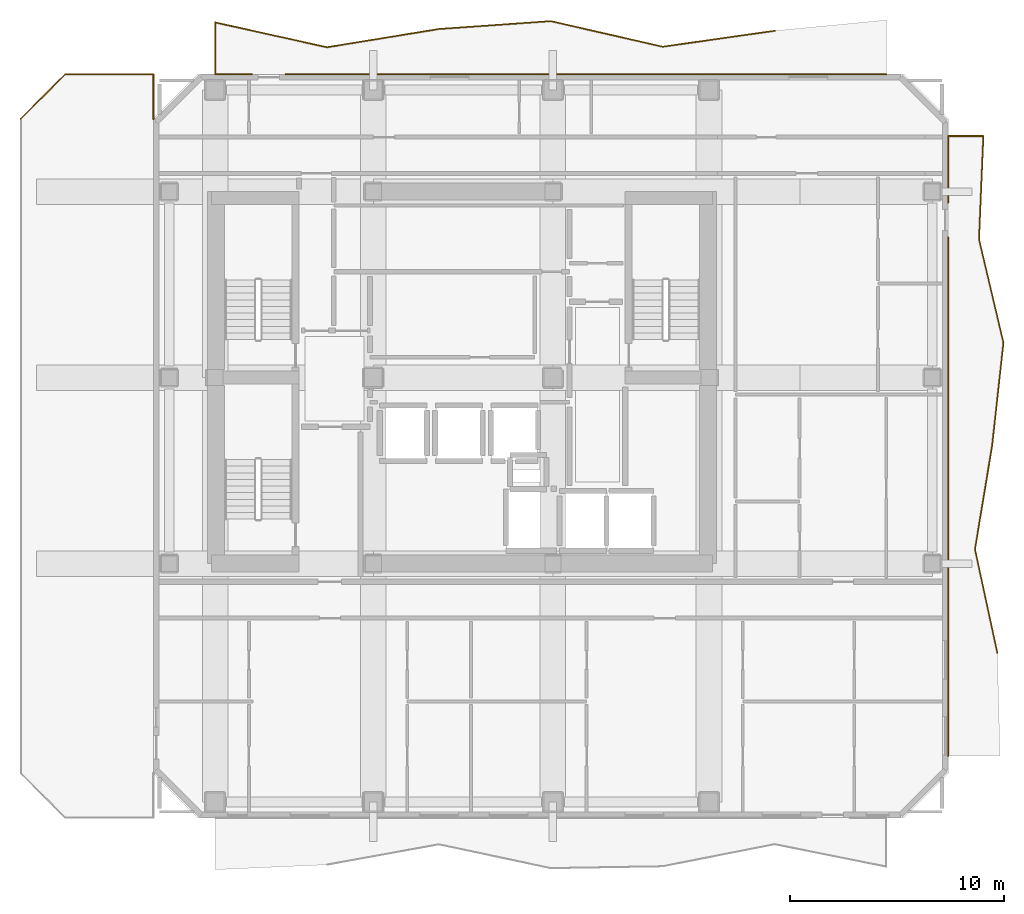
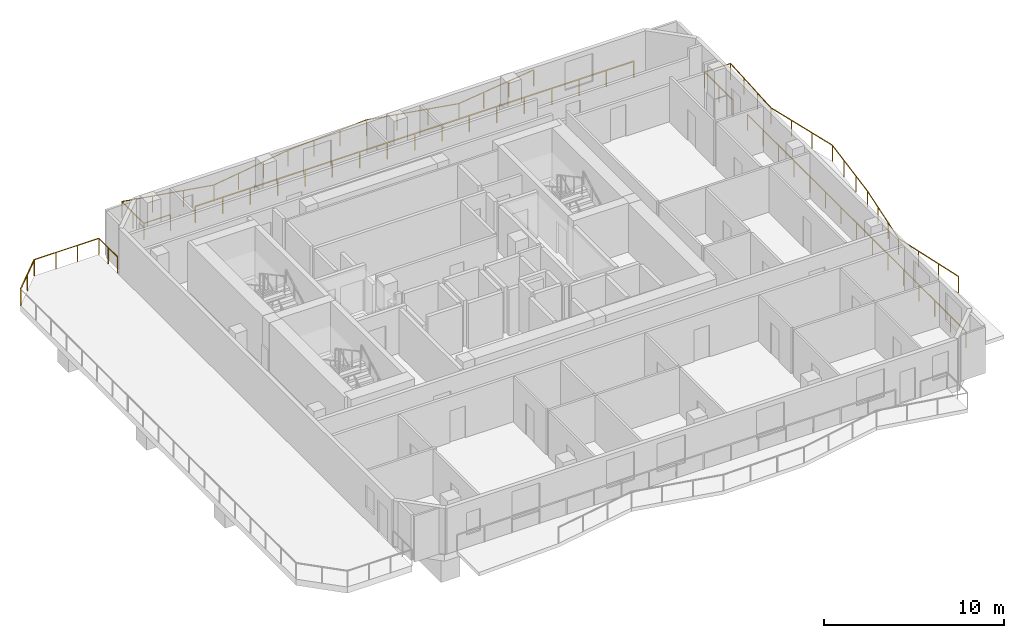
# One storey, part 10 of 10: 7 railings.
"""IFC4 building model written with IfcOpenShell, lengths in metres."""

from ifc_helpers import new_model, si_unit, direction, frame, origin, origin_2d, place, context, subcontext, project, spatial, rectangle, extrude, material, type_object, element, save


model = new_model("IFC4")

# Units and contexts
model_context = context("Model", 3, precision=1e-05, world=origin(), true_north=direction((0.0, 1.0)))
body_context = subcontext(model_context, "Body", "Model", "MODEL_VIEW")
ifc_project = project(units=[si_unit("LENGTHUNIT", "METRE"), si_unit("AREAUNIT", "SQUARE_METRE"), si_unit("VOLUMEUNIT", "CUBIC_METRE"), si_unit("PLANEANGLEUNIT", "RADIAN"), si_unit("MASSUNIT", "GRAM", prefix="KILO")], contexts=[model_context])

# Site, building, storey
site_placement = place(None, origin())
site = spatial("IfcSite", under=ifc_project, at=site_placement, CompositionType="ELEMENT")
building_placement = place(site_placement, origin())
building = spatial("IfcBuilding", under=site, at=building_placement, Name="Solanera Arch Residences", CompositionType="ELEMENT")
storey_placement = place(building_placement, frame((0.0, 0.0, 210.080078125)))
storey = spatial("IfcBuildingStorey", under=building, at=storey_placement, Name="L61", CompositionType="ELEMENT", Elevation=210.080078125)

# Railings
ifc_material = material(Name="Steel S355 (ASTM A992 / A572 Grade 50)", Category="steel")
railing_type = type_object("IfcRailingType", Name="Balustrade Railing BL-1100", PredefinedType="BALUSTRADE", material=ifc_material)
railing_1_placement = place(storey_placement, frame((39.56689453125, 46.923095703125, 0.0)))
element("IfcRailing", 1, at=railing_1_placement, inside=storey, type_object=railing_type, Name="L61 N Balcony Balustrade 1", PredefinedType="BALUSTRADE", context=body_context, shape_type="SweptSolid", body=[
    extrude(rectangle(XDim=0.048095703125, YDim=0.048095703125, at=origin_2d()), frame((0.0, 0.0, 1.09619140625), z_axis=(-0.989991933951, -0.141123955134, 0.0), x_axis=(0.141123955134, -0.989991933951, 0.0)), (0.0, 0.0, 1.0), 5.286865234375),
    extrude(rectangle(XDim=0.048095703125, YDim=0.048095703125, at=origin_2d()), frame((-5.23388671875, -0.74609375, 1.09619140625), z_axis=(-0.974820951347, 0.222989041917, 0.0), x_axis=(-0.222989041917, -0.974820951347, 0.0)), (0.0, 0.0, 1.0), 5.3681640625),
    extrude(rectangle(XDim=0.048095703125, YDim=0.048095703125, at=origin_2d()), frame((-10.466796875, 0.450927734375, 1.09619140625), z_axis=(-0.997537687487, -0.070132460697, 0.0), x_axis=(0.070132460697, -0.997537687487, 0.0)), (0.0, 0.0, 1.0), 5.24609375),
    extrude(rectangle(XDim=0.048095703125, YDim=0.048095703125, at=origin_2d()), frame((-15.699951171875, 0.0830078125, 1.09619140625), z_axis=(-0.986948116303, -0.161038553542, 0.0), x_axis=(0.161038553542, -0.986948116303, 0.0)), (0.0, 0.0, 1.0), 5.30322265625),
    extrude(rectangle(XDim=0.048095703125, YDim=0.048095703125, at=origin_2d()), frame((-20.933837890625, -0.77099609375, 1.09619140625), z_axis=(-0.976190274798, 0.216915991549, 0.0), x_axis=(-0.216915991549, -0.976190274798, 0.0)), (0.0, 0.0, 1.0), 5.36083984375),
    extrude(rectangle(XDim=0.048095703125, YDim=0.048095703125, at=origin_2d()), frame((-26.1669921875, 0.391845703125, 1.09619140625), z_axis=(0.0, -1.0, 0.0), x_axis=(1.0, 0.0, 0.0)), (0.0, 0.0, 1.0), 2.43505859375),
    extrude(rectangle(XDim=0.048095703125, YDim=0.048095703125, at=origin_2d()), frame((-26.1669921875, -2.043212890625, 1.09619140625), z_axis=(1.0, 0.0, 0.0), x_axis=(0.0, 1.0, 0.0)), (0.0, 0.0, 1.0), 1.710205078125),
    extrude(rectangle(XDim=0.0419921875, YDim=0.0419921875, at=origin_2d()), origin(), (0.0, 0.0, 1.0), 1.072021484375),
    extrude(rectangle(XDim=0.0419921875, YDim=0.0419921875, at=origin_2d()), frame((-1.74462890625, -0.248779296875, 0.0)), (0.0, 0.0, 1.0), 1.072021484375),
    extrude(rectangle(XDim=0.0419921875, YDim=0.0419921875, at=origin_2d()), frame((-3.4892578125, -0.497314453125, 0.0)), (0.0, 0.0, 1.0), 1.072021484375),
    extrude(rectangle(XDim=0.0419921875, YDim=0.0419921875, at=origin_2d()), frame((-5.23388671875, -0.74609375, 0.0)), (0.0, 0.0, 1.0), 1.072021484375),
    extrude(rectangle(XDim=0.0419921875, YDim=0.0419921875, at=origin_2d()), frame((-6.978271484375, -0.34716796875, 0.0)), (0.0, 0.0, 1.0), 1.072021484375),
    extrude(rectangle(XDim=0.0419921875, YDim=0.0419921875, at=origin_2d()), frame((-8.722412109375, 0.052001953125, 0.0)), (0.0, 0.0, 1.0), 1.072021484375),
    extrude(rectangle(XDim=0.0419921875, YDim=0.0419921875, at=origin_2d()), frame((-10.466796875, 0.450927734375, 0.0)), (0.0, 0.0, 1.0), 1.072021484375),
    extrude(rectangle(XDim=0.0419921875, YDim=0.0419921875, at=origin_2d()), frame((-12.211181640625, 0.328369140625, 0.0)), (0.0, 0.0, 1.0), 1.072021484375),
    extrude(rectangle(XDim=0.0419921875, YDim=0.0419921875, at=origin_2d()), frame((-13.95556640625, 0.20556640625, 0.0)), (0.0, 0.0, 1.0), 1.072021484375),
    extrude(rectangle(XDim=0.0419921875, YDim=0.0419921875, at=origin_2d()), frame((-15.699951171875, 0.0830078125, 0.0)), (0.0, 0.0, 1.0), 1.072021484375),
    extrude(rectangle(XDim=0.0419921875, YDim=0.0419921875, at=origin_2d()), frame((-17.444580078125, -0.20166015625, 0.0)), (0.0, 0.0, 1.0), 1.072021484375),
    extrude(rectangle(XDim=0.0419921875, YDim=0.0419921875, at=origin_2d()), frame((-19.189208984375, -0.486328125, 0.0)), (0.0, 0.0, 1.0), 1.072021484375),
    extrude(rectangle(XDim=0.0419921875, YDim=0.0419921875, at=origin_2d()), frame((-20.933837890625, -0.77099609375, 0.0)), (0.0, 0.0, 1.0), 1.072021484375),
    extrude(rectangle(XDim=0.0419921875, YDim=0.0419921875, at=origin_2d()), frame((-22.67822265625, -0.38330078125, 0.0)), (0.0, 0.0, 1.0), 1.072021484375),
    extrude(rectangle(XDim=0.0419921875, YDim=0.0419921875, at=origin_2d()), frame((-24.422607421875, 0.004150390625, 0.0)), (0.0, 0.0, 1.0), 1.072021484375),
    extrude(rectangle(XDim=0.0419921875, YDim=0.0419921875, at=origin_2d()), frame((-26.1669921875, 0.391845703125, 0.0)), (0.0, 0.0, 1.0), 1.072021484375),
    extrude(rectangle(XDim=0.0419921875, YDim=0.0419921875, at=origin_2d()), frame((-26.1669921875, -0.82568359375, 0.0)), (0.0, 0.0, 1.0), 1.072021484375),
    extrude(rectangle(XDim=0.0419921875, YDim=0.0419921875, at=origin_2d()), frame((-26.1669921875, -2.043212890625, 0.0)), (0.0, 0.0, 1.0), 1.072021484375),
    extrude(rectangle(XDim=0.0419921875, YDim=0.0419921875, at=origin_2d()), frame((-24.456787109375, -2.043212890625, 0.0)), (0.0, 0.0, 1.0), 1.072021484375),
])
railing_2_placement = place(storey_placement, frame((16.7099609375, 44.8798828125, 0.0)))
element("IfcRailing", 2, at=railing_2_placement, inside=storey, type_object=railing_type, Name="L61 N Balcony Balustrade 2", PredefinedType="BALUSTRADE", context=body_context, shape_type="SweptSolid", body=[
    extrude(rectangle(XDim=0.048095703125, YDim=0.048095703125, at=origin_2d()), frame((0.0, 0.0, 1.09619140625), z_axis=(1.0, 0.0, 0.0), x_axis=(0.0, 1.0, 0.0)), (0.0, 0.0, 1.0), 28.090087890625),
    extrude(rectangle(XDim=0.0419921875, YDim=0.0419921875, at=origin_2d()), origin(), (0.0, 0.0, 1.0), 1.072021484375),
    extrude(rectangle(XDim=0.0419921875, YDim=0.0419921875, at=origin_2d()), frame((1.755615234375, 0.0, 0.0)), (0.0, 0.0, 1.0), 1.072021484375),
    extrude(rectangle(XDim=0.0419921875, YDim=0.0419921875, at=origin_2d()), frame((3.51123046875, 0.0, 0.0)), (0.0, 0.0, 1.0), 1.072021484375),
    extrude(rectangle(XDim=0.0419921875, YDim=0.0419921875, at=origin_2d()), frame((5.266845703125, 0.0, 0.0)), (0.0, 0.0, 1.0), 1.072021484375),
    extrude(rectangle(XDim=0.0419921875, YDim=0.0419921875, at=origin_2d()), frame((7.0224609375, 0.0, 0.0)), (0.0, 0.0, 1.0), 1.072021484375),
    extrude(rectangle(XDim=0.0419921875, YDim=0.0419921875, at=origin_2d()), frame((8.778076171875, 0.0, 0.0)), (0.0, 0.0, 1.0), 1.072021484375),
    extrude(rectangle(XDim=0.0419921875, YDim=0.0419921875, at=origin_2d()), frame((10.53369140625, 0.0, 0.0)), (0.0, 0.0, 1.0), 1.072021484375),
    extrude(rectangle(XDim=0.0419921875, YDim=0.0419921875, at=origin_2d()), frame((12.289306640625, 0.0, 0.0)), (0.0, 0.0, 1.0), 1.072021484375),
    extrude(rectangle(XDim=0.0419921875, YDim=0.0419921875, at=origin_2d()), frame((14.044921875, 0.0, 0.0)), (0.0, 0.0, 1.0), 1.072021484375),
    extrude(rectangle(XDim=0.0419921875, YDim=0.0419921875, at=origin_2d()), frame((15.80078125, 0.0, 0.0)), (0.0, 0.0, 1.0), 1.072021484375),
    extrude(rectangle(XDim=0.0419921875, YDim=0.0419921875, at=origin_2d()), frame((17.556396484375, 0.0, 0.0)), (0.0, 0.0, 1.0), 1.072021484375),
    extrude(rectangle(XDim=0.0419921875, YDim=0.0419921875, at=origin_2d()), frame((19.31201171875, 0.0, 0.0)), (0.0, 0.0, 1.0), 1.072021484375),
    extrude(rectangle(XDim=0.0419921875, YDim=0.0419921875, at=origin_2d()), frame((21.067626953125, 0.0, 0.0)), (0.0, 0.0, 1.0), 1.072021484375),
    extrude(rectangle(XDim=0.0419921875, YDim=0.0419921875, at=origin_2d()), frame((22.8232421875, 0.0, 0.0)), (0.0, 0.0, 1.0), 1.072021484375),
    extrude(rectangle(XDim=0.0419921875, YDim=0.0419921875, at=origin_2d()), frame((24.578857421875, 0.0, 0.0)), (0.0, 0.0, 1.0), 1.072021484375),
    extrude(rectangle(XDim=0.0419921875, YDim=0.0419921875, at=origin_2d()), frame((26.33447265625, 0.0, 0.0)), (0.0, 0.0, 1.0), 1.072021484375),
    extrude(rectangle(XDim=0.0419921875, YDim=0.0419921875, at=origin_2d()), frame((28.090087890625, 0.0, 0.0)), (0.0, 0.0, 1.0), 1.072021484375),
])
railing_3_placement = place(storey_placement, frame((49.987060546875, 17.8330078125, 0.0)))
element("IfcRailing", 3, at=railing_3_placement, inside=storey, type_object=railing_type, Name="L61 E Balcony Balustrade 1", PredefinedType="BALUSTRADE", context=body_context, shape_type="SweptSolid", body=[
    extrude(rectangle(XDim=0.048095703125, YDim=0.048095703125, at=origin_2d()), frame((0.0, 0.0, 1.09619140625), z_axis=(-0.211328968766, 0.977414992191, 0.0), x_axis=(-0.977414992191, -0.211328968766, 0.0)), (0.0, 0.0, 1.0), 4.94580078125),
    extrude(rectangle(XDim=0.048095703125, YDim=0.048095703125, at=origin_2d()), frame((-1.045166015625, 4.833984375, 1.09619140625), z_axis=(0.163315943062, 0.986573820219, 0.0), x_axis=(-0.986573820219, 0.163315943062, 0.0)), (0.0, 0.0, 1.0), 4.898681640625),
    extrude(rectangle(XDim=0.048095703125, YDim=0.048095703125, at=origin_2d()), frame((-0.2451171875, 9.6669921875, 1.09619140625), z_axis=(0.109213469557, 0.994018318779, 0.0), x_axis=(-0.994018318779, 0.109213469557, 0.0)), (0.0, 0.0, 1.0), 4.862060546875),
    extrude(rectangle(XDim=0.048095703125, YDim=0.048095703125, at=origin_2d()), frame((0.285888671875, 14.5, 1.09619140625), z_axis=(-0.22988579656, 0.97321761212, 0.0), x_axis=(-0.97321761212, -0.22988579656, 0.0)), (0.0, 0.0, 1.0), 4.967041015625),
    extrude(rectangle(XDim=0.048095703125, YDim=0.048095703125, at=origin_2d()), frame((-0.85595703125, 19.333984375, 1.09619140625), z_axis=(0.041941239933, 0.999120079066, 0.0), x_axis=(-0.999120079066, 0.041941239933, 0.0)), (0.0, 0.0, 1.0), 4.837158203125),
    extrude(rectangle(XDim=0.048095703125, YDim=0.048095703125, at=origin_2d()), frame((-0.653076171875, 24.1669921875, 1.09619140625), z_axis=(-1.0, 0.0, 0.0), x_axis=(0.0, -1.0, 0.0)), (0.0, 0.0, 1.0), 1.654052734375),
    extrude(rectangle(XDim=0.048095703125, YDim=0.048095703125, at=origin_2d()), frame((-2.30712890625, 24.1669921875, 1.09619140625), z_axis=(0.0, -1.0, 0.0), x_axis=(1.0, 0.0, 0.0)), (0.0, 0.0, 1.0), 3.126953125),
    extrude(rectangle(XDim=0.0419921875, YDim=0.0419921875, at=origin_2d()), origin(), (0.0, 0.0, 1.0), 1.072021484375),
    extrude(rectangle(XDim=0.0419921875, YDim=0.0419921875, at=origin_2d()), frame((-0.348388671875, 1.611328125, 0.0)), (0.0, 0.0, 1.0), 1.072021484375),
    extrude(rectangle(XDim=0.0419921875, YDim=0.0419921875, at=origin_2d()), frame((-0.69677734375, 3.22265625, 0.0)), (0.0, 0.0, 1.0), 1.072021484375),
    extrude(rectangle(XDim=0.0419921875, YDim=0.0419921875, at=origin_2d()), frame((-1.045166015625, 4.833984375, 0.0)), (0.0, 0.0, 1.0), 1.072021484375),
    extrude(rectangle(XDim=0.0419921875, YDim=0.0419921875, at=origin_2d()), frame((-0.778564453125, 6.445068359375, 0.0)), (0.0, 0.0, 1.0), 1.072021484375),
    extrude(rectangle(XDim=0.0419921875, YDim=0.0419921875, at=origin_2d()), frame((-0.51171875, 8.055908203125, 0.0)), (0.0, 0.0, 1.0), 1.072021484375),
    extrude(rectangle(XDim=0.0419921875, YDim=0.0419921875, at=origin_2d()), frame((-0.2451171875, 9.6669921875, 0.0)), (0.0, 0.0, 1.0), 1.072021484375),
    extrude(rectangle(XDim=0.0419921875, YDim=0.0419921875, at=origin_2d()), frame((-0.068115234375, 11.278076171875, 0.0)), (0.0, 0.0, 1.0), 1.072021484375),
    extrude(rectangle(XDim=0.0419921875, YDim=0.0419921875, at=origin_2d()), frame((0.10888671875, 12.888916015625, 0.0)), (0.0, 0.0, 1.0), 1.072021484375),
    extrude(rectangle(XDim=0.0419921875, YDim=0.0419921875, at=origin_2d()), frame((0.285888671875, 14.5, 0.0)), (0.0, 0.0, 1.0), 1.072021484375),
    extrude(rectangle(XDim=0.0419921875, YDim=0.0419921875, at=origin_2d()), frame((-0.0947265625, 16.111328125, 0.0)), (0.0, 0.0, 1.0), 1.072021484375),
    extrude(rectangle(XDim=0.0419921875, YDim=0.0419921875, at=origin_2d()), frame((-0.475341796875, 17.72265625, 0.0)), (0.0, 0.0, 1.0), 1.072021484375),
    extrude(rectangle(XDim=0.0419921875, YDim=0.0419921875, at=origin_2d()), frame((-0.85595703125, 19.333984375, 0.0)), (0.0, 0.0, 1.0), 1.072021484375),
    extrude(rectangle(XDim=0.0419921875, YDim=0.0419921875, at=origin_2d()), frame((-0.788330078125, 20.945068359375, 0.0)), (0.0, 0.0, 1.0), 1.072021484375),
    extrude(rectangle(XDim=0.0419921875, YDim=0.0419921875, at=origin_2d()), frame((-0.720703125, 22.555908203125, 0.0)), (0.0, 0.0, 1.0), 1.072021484375),
    extrude(rectangle(XDim=0.0419921875, YDim=0.0419921875, at=origin_2d()), frame((-0.653076171875, 24.1669921875, 0.0)), (0.0, 0.0, 1.0), 1.072021484375),
    extrude(rectangle(XDim=0.0419921875, YDim=0.0419921875, at=origin_2d()), frame((-2.30712890625, 24.1669921875, 0.0)), (0.0, 0.0, 1.0), 1.072021484375),
    extrude(rectangle(XDim=0.0419921875, YDim=0.0419921875, at=origin_2d()), frame((-2.30712890625, 22.603515625, 0.0)), (0.0, 0.0, 1.0), 1.072021484375),
    extrude(rectangle(XDim=0.0419921875, YDim=0.0419921875, at=origin_2d()), frame((-2.30712890625, 21.0400390625, 0.0)), (0.0, 0.0, 1.0), 1.072021484375),
])
railing_4_placement = place(storey_placement, frame((47.679931640625, 37.27294921875, 0.0)))
element("IfcRailing", 4, at=railing_4_placement, inside=storey, type_object=railing_type, Name="L61 E Balcony Balustrade 2", PredefinedType="BALUSTRADE", context=body_context, shape_type="SweptSolid", body=[
    extrude(rectangle(XDim=0.048095703125, YDim=0.048095703125, at=origin_2d()), frame((0.0, 0.0, 1.09619140625), z_axis=(0.0, -1.0, 0.0), x_axis=(1.0, 0.0, 0.0)), (0.0, 0.0, 1.0), 24.27294921875),
    extrude(rectangle(XDim=0.0419921875, YDim=0.0419921875, at=origin_2d()), origin(), (0.0, 0.0, 1.0), 1.072021484375),
    extrude(rectangle(XDim=0.0419921875, YDim=0.0419921875, at=origin_2d()), frame((0.0, -1.73388671875, 0.0)), (0.0, 0.0, 1.0), 1.072021484375),
    extrude(rectangle(XDim=0.0419921875, YDim=0.0419921875, at=origin_2d()), frame((0.0, -3.467529296875, 0.0)), (0.0, 0.0, 1.0), 1.072021484375),
    extrude(rectangle(XDim=0.0419921875, YDim=0.0419921875, at=origin_2d()), frame((0.0, -5.201416015625, 0.0)), (0.0, 0.0, 1.0), 1.072021484375),
    extrude(rectangle(XDim=0.0419921875, YDim=0.0419921875, at=origin_2d()), frame((0.0, -6.93505859375, 0.0)), (0.0, 0.0, 1.0), 1.072021484375),
    extrude(rectangle(XDim=0.0419921875, YDim=0.0419921875, at=origin_2d()), frame((0.0, -8.6689453125, 0.0)), (0.0, 0.0, 1.0), 1.072021484375),
    extrude(rectangle(XDim=0.0419921875, YDim=0.0419921875, at=origin_2d()), frame((0.0, -10.402587890625, 0.0)), (0.0, 0.0, 1.0), 1.072021484375),
    extrude(rectangle(XDim=0.0419921875, YDim=0.0419921875, at=origin_2d()), frame((0.0, -12.136474609375, 0.0)), (0.0, 0.0, 1.0), 1.072021484375),
    extrude(rectangle(XDim=0.0419921875, YDim=0.0419921875, at=origin_2d()), frame((0.0, -13.870361328125, 0.0)), (0.0, 0.0, 1.0), 1.072021484375),
    extrude(rectangle(XDim=0.0419921875, YDim=0.0419921875, at=origin_2d()), frame((0.0, -15.60400390625, 0.0)), (0.0, 0.0, 1.0), 1.072021484375),
    extrude(rectangle(XDim=0.0419921875, YDim=0.0419921875, at=origin_2d()), frame((0.0, -17.337890625, 0.0)), (0.0, 0.0, 1.0), 1.072021484375),
    extrude(rectangle(XDim=0.0419921875, YDim=0.0419921875, at=origin_2d()), frame((0.0, -19.071533203125, 0.0)), (0.0, 0.0, 1.0), 1.072021484375),
    extrude(rectangle(XDim=0.0419921875, YDim=0.0419921875, at=origin_2d()), frame((0.0, -20.805419921875, 0.0)), (0.0, 0.0, 1.0), 1.072021484375),
    extrude(rectangle(XDim=0.0419921875, YDim=0.0419921875, at=origin_2d()), frame((0.0, -22.5390625, 0.0)), (0.0, 0.0, 1.0), 1.072021484375),
    extrude(rectangle(XDim=0.0419921875, YDim=0.0419921875, at=origin_2d()), frame((0.0, -24.27294921875, 0.0)), (0.0, 0.0, 1.0), 1.072021484375),
])
railing_5_placement = place(storey_placement, frame((10.52001953125, 42.7919921875, 0.0)))
element("IfcRailing", 5, at=railing_5_placement, inside=storey, type_object=railing_type, Name="L61 Sky Terrace Guardrail 1", PredefinedType="BALUSTRADE", context=body_context, shape_type="SweptSolid", body=[
    extrude(rectangle(XDim=0.048095703125, YDim=0.048095703125, at=origin_2d()), frame((0.0, 0.0, 1.09619140625), z_axis=(0.0, 1.0, 0.0), x_axis=(-1.0, 0.0, 0.0)), (0.0, 0.0, 1.0), 2.087890625),
    extrude(rectangle(XDim=0.0419921875, YDim=0.0419921875, at=origin_2d()), origin(), (0.0, 0.0, 1.0), 1.072021484375),
    extrude(rectangle(XDim=0.0419921875, YDim=0.0419921875, at=origin_2d()), frame((0.0, 1.0439453125, 0.0)), (0.0, 0.0, 1.0), 1.072021484375),
    extrude(rectangle(XDim=0.0419921875, YDim=0.0419921875, at=origin_2d()), frame((0.0, 2.087890625, 0.0)), (0.0, 0.0, 1.0), 1.072021484375),
])
railing_6_placement = place(storey_placement, frame((10.52001953125, 44.8798828125, 0.0)))
element("IfcRailing", 6, at=railing_6_placement, inside=storey, type_object=railing_type, Name="L61 Sky Terrace Guardrail 1", PredefinedType="BALUSTRADE", context=body_context, shape_type="SweptSolid", body=[
    extrude(rectangle(XDim=0.048095703125, YDim=0.048095703125, at=origin_2d()), frame((0.0, 0.0, 1.09619140625), z_axis=(-1.0, 0.0, 0.0), x_axis=(0.0, -1.0, 0.0)), (0.0, 0.0, 1.0), 4.14013671875),
    extrude(rectangle(XDim=0.0419921875, YDim=0.0419921875, at=origin_2d()), origin(), (0.0, 0.0, 1.0), 1.072021484375),
    extrude(rectangle(XDim=0.0419921875, YDim=0.0419921875, at=origin_2d()), frame((-1.380126953125, 0.0, 0.0)), (0.0, 0.0, 1.0), 1.072021484375),
    extrude(rectangle(XDim=0.0419921875, YDim=0.0419921875, at=origin_2d()), frame((-2.760009765625, 0.0, 0.0)), (0.0, 0.0, 1.0), 1.072021484375),
    extrude(rectangle(XDim=0.0419921875, YDim=0.0419921875, at=origin_2d()), frame((-4.14013671875, 0.0, 0.0)), (0.0, 0.0, 1.0), 1.072021484375),
])
railing_7_placement = place(storey_placement, frame((6.3798828125, 44.8798828125, 0.0)))
element("IfcRailing", 7, at=railing_7_placement, inside=storey, type_object=railing_type, Name="L61 Sky Terrace Guardrail 1", PredefinedType="BALUSTRADE", context=body_context, shape_type="SweptSolid", body=[
    extrude(rectangle(XDim=0.048095703125, YDim=0.048095703125, at=origin_2d()), frame((0.0, 0.0, 1.09619140625), z_axis=(-0.707106781187, -0.707106781187, 0.0), x_axis=(0.707106781187, -0.707106781187, 0.0)), (0.0, 0.0, 1.0), 2.94140625),
    extrude(rectangle(XDim=0.0419921875, YDim=0.0419921875, at=origin_2d()), origin(), (0.0, 0.0, 1.0), 1.072021484375),
    extrude(rectangle(XDim=0.0419921875, YDim=0.0419921875, at=origin_2d()), frame((-1.0400390625, -1.0400390625, 0.0)), (0.0, 0.0, 1.0), 1.072021484375),
    extrude(rectangle(XDim=0.0419921875, YDim=0.0419921875, at=origin_2d()), frame((-2.079833984375, -2.079833984375, 0.0)), (0.0, 0.0, 1.0), 1.072021484375),
])

save(model, "model.ifc")
